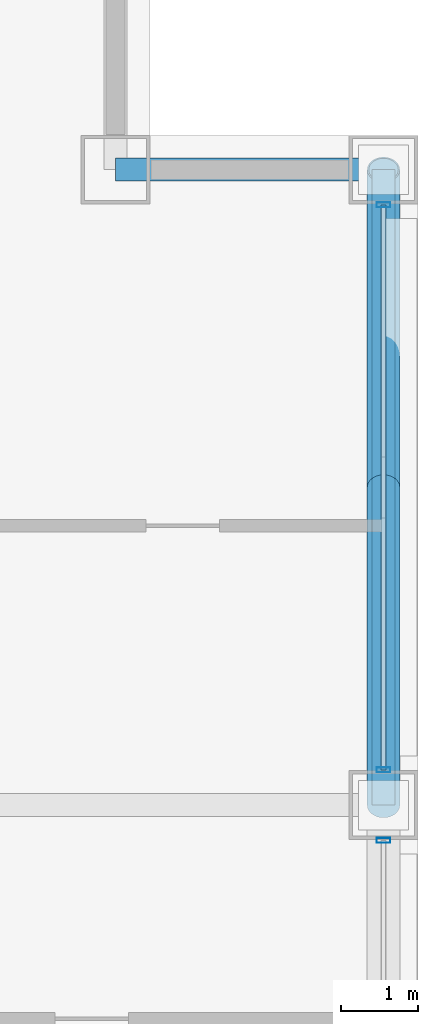
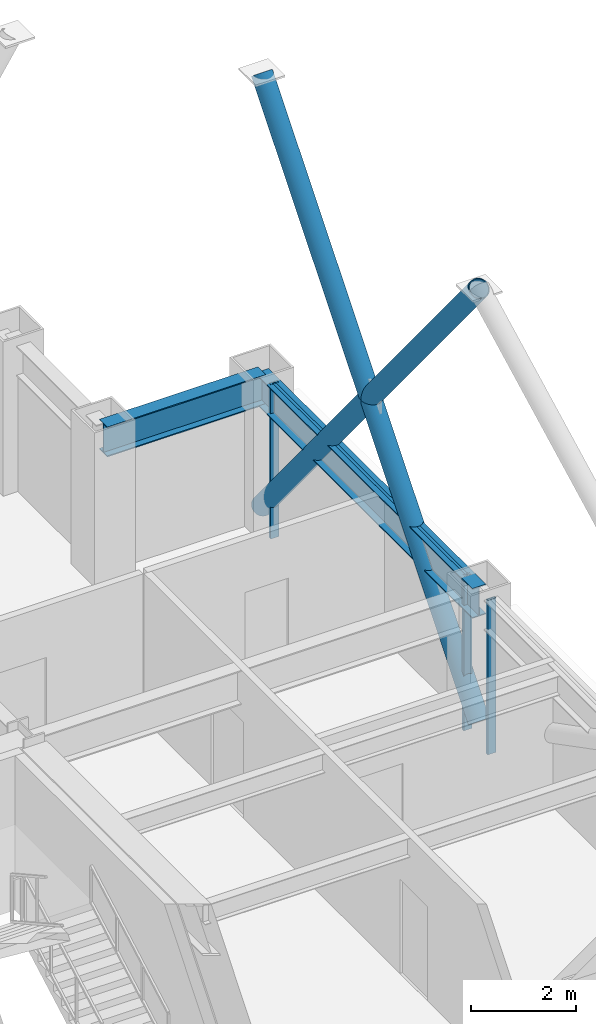
# One storey, part 22 of 29: 7 members, 2 beams, 2 elements without a shape of their own.
"""IFC4 building model written with IfcOpenShell, lengths in metres."""

from ifc_helpers import new_model, si_unit, direction, frame, origin, origin_2d, place, context, subcontext, project, spatial, hollow_rectangle, hollow_circle, i_section, extrude, material, layer, layer_set, material_profile, profile_set, type_object, element, aggregate, save


model = new_model("IFC4")

# Units and contexts
model_context = context("Model", 3, precision=1e-05, world=origin(), true_north=direction((0.0, 1.0)))
body_context = subcontext(model_context, "Body", "Model", "MODEL_VIEW")
ifc_project = project(units=[si_unit("LENGTHUNIT", "METRE"), si_unit("AREAUNIT", "SQUARE_METRE"), si_unit("VOLUMEUNIT", "CUBIC_METRE"), si_unit("PLANEANGLEUNIT", "RADIAN"), si_unit("MASSUNIT", "GRAM", prefix="KILO")], contexts=[model_context])

# Site, building, storey
site_placement = place(None, origin())
site = spatial("IfcSite", under=ifc_project, at=site_placement, CompositionType="ELEMENT")
building_placement = place(site_placement, origin())
building = spatial("IfcBuilding", under=site, at=building_placement, Name="Brelmoor Portico Tower", CompositionType="ELEMENT")
storey_placement = place(building_placement, frame((0.0, 0.0, 67.199951171875)))
storey = spatial("IfcBuildingStorey", under=building, at=storey_placement, Name="L17", CompositionType="ELEMENT", Elevation=67.199951171875)

# Beams
ifc_material_1 = material(Name="Steel Q355B", Category="steel")
ifc_material_profile_1 = material_profile(ifc_material_1, i_section(OverallWidth=0.300048828125, OverallDepth=0.699951171875, WebThickness=0.012939453125, FlangeThickness=0.02392578125, at=origin_2d()), Name="HN 700x300x13x24")
ifc_profile_set_1 = profile_set([ifc_material_profile_1], Name="Steel Q355B")
beam_type = type_object("IfcBeamType", Name="BM-SP-700", PredefinedType="SPANDREL", material=ifc_profile_set_1)
beam_1_placement = place(storey_placement, frame((21.050048828125, 18.050048828125, 3.050048828125), z_axis=(1.0, 0.0, 0.0), x_axis=(0.0, 1.0, 0.0)))
element("IfcBeam", 1, at=beam_1_placement, inside=storey, type_object=beam_type, Name="L17 Perimeter Spandrel Beam SP-09", PredefinedType="SPANDREL", context=body_context, shape_type="SweptSolid", body=[
    extrude(i_section(OverallWidth=0.300048828125, OverallDepth=0.699951171875, WebThickness=0.012939453125, FlangeThickness=0.02392578125, at=origin_2d()), origin(), (0.0, 0.0, 1.0), 3.5),
])
beam_2_placement = place(storey_placement, frame((24.550048828125, 9.75, 3.050048828125), z_axis=(0.0, 1.0, 0.0), x_axis=(-1.0, 0.0, 0.0)))
element("IfcBeam", 2, at=beam_2_placement, inside=storey, type_object=beam_type, Name="L17 Perimeter Spandrel Beam SP-24", PredefinedType="SPANDREL", context=body_context, shape_type="SweptSolid", body=[
    extrude(i_section(OverallWidth=0.300048828125, OverallDepth=0.699951171875, WebThickness=0.012939453125, FlangeThickness=0.02392578125, at=origin_2d()), origin(), (0.0, 0.0, 1.0), 8.300048828125),
])

# Members
ifc_material_profile_2 = material_profile(ifc_material_1, hollow_circle(Radius=0.212890625, WallThickness=0.02001953125, at=origin_2d()), Name="CHS 426x20")
ifc_profile_set_2 = profile_set([ifc_material_profile_2], Name="Steel Q355B")
member_type_1 = type_object("IfcMemberType", Name="MB-BELT-DIAG1", PredefinedType="BRACE", material=ifc_profile_set_2)
member_1_placement = place(storey_placement, frame((24.550048828125, 9.75, 0.25), z_axis=(0.0, 0.634901100083, 0.772593420315), x_axis=(-1.0, 0.0, 0.0)))
element("IfcMember", 3, at=member_1_placement, inside=storey, type_object=member_type_1, Name="L17 Continuous Mega-X Brace 042A", PredefinedType="BRACE", context=body_context, shape_type="SweptSolid", body=[
    extrude(hollow_circle(Radius=0.212890625, WallThickness=0.02001953125, at=origin_2d()), origin(), (0.0, 0.0, 1.0), 13.072998046875),
])
member_2_placement = place(storey_placement, frame((24.550048828125, 18.050048828125, 0.25), z_axis=(0.0, -0.634912247128, 0.772584259771), x_axis=(1.0, 0.0, 0.0)))
element("IfcMember", 4, at=member_2_placement, inside=storey, type_object=member_type_1, Name="L17 Split Mega-X Brace 042B1", PredefinedType="BRACE", context=body_context, shape_type="SweptSolid", body=[
    extrude(hollow_circle(Radius=0.212890625, WallThickness=0.02001953125, at=origin_2d()), origin(), (0.0, 0.0, 1.0), 6.53662109375),
])
member_3_placement = place(storey_placement, frame((24.550048828125, 13.89990234375, 5.300048828125), z_axis=(0.0, -0.634889952641, 0.772602580914), x_axis=(1.0, 0.0, 0.0)))
element("IfcMember", 5, at=member_3_placement, inside=storey, type_object=member_type_1, Name="L17 Split Mega-X Brace 042B2", PredefinedType="BRACE", context=body_context, shape_type="SweptSolid", body=[
    extrude(hollow_circle(Radius=0.212890625, WallThickness=0.02001953125, at=origin_2d()), origin(), (0.0, 0.0, 1.0), 6.536376953125),
])

# Curtain wall, member
ifc_material_2 = material(Name="Anodised Aluminium Alloy 6063-T6", Category="aluminium")
ifc_layer = layer(ifc_material_2, 0.179931640625)
ifc_layer_set = layer_set([ifc_layer], Name="Anodised Aluminium Alloy 6063-T6")
curtain_wall_type = type_object("IfcCurtainWallType", Name="CW-TOWER-Z1-XB", PredefinedType="NOTDEFINED", material=ifc_layer_set)
curtain_wall_1_placement = place(storey_placement, origin())
curtain_wall_1 = element("IfcCurtainWall", 6, at=curtain_wall_1_placement, inside=storey, type_object=curtain_wall_type, Name="L17 Curtain Wall CW-L17-04-2", PredefinedType="NOTDEFINED")
ifc_material_profile_3 = material_profile(ifc_material_2, hollow_rectangle(XDim=0.06494140625, YDim=0.179931640625, WallThickness=0.00390625, at=origin_2d()), Name="ALU MULLION 65x180")
ifc_profile_set_3 = profile_set([ifc_material_profile_3], Name="Anodised Aluminium Alloy 6063-T6")
member_type_2 = type_object("IfcMemberType", Name="MB-CW-MULL-180", PredefinedType="MULLION", material=ifc_profile_set_3)
member_4_placement = place(storey_placement, frame((24.550048828125, 9.2900390625, -0.199951171875), z_axis=(0.0, 0.0, 1.0), x_axis=(0.0, 1.0, 0.0)))
member_4 = element("IfcMember", 7, at=member_4_placement, type_object=member_type_2, Name="CW-L17-04-2 Mullion 02", PredefinedType="MULLION", context=body_context, shape_type="SweptSolid", body=[
    extrude(hollow_rectangle(XDim=0.06494140625, YDim=0.179931640625, WallThickness=0.00390625, at=origin_2d()), origin(), (0.0, 0.0, 1.0), 3.60009765625),
])
aggregate(curtain_wall_1, [member_4])

# Curtain wall, members
curtain_wall_2_placement = place(storey_placement, origin())
curtain_wall_2 = element("IfcCurtainWall", 8, at=curtain_wall_2_placement, inside=storey, type_object=curtain_wall_type, Name="L17 Curtain Wall CW-L17-04-3", PredefinedType="NOTDEFINED")
member_5_placement = place(storey_placement, frame((24.550048828125, 10.2099609375, -0.199951171875), z_axis=(0.0, 0.0, 1.0), x_axis=(0.0, 1.0, 0.0)))
member_5 = element("IfcMember", 9, at=member_5_placement, type_object=member_type_2, Name="CW-L17-04-3 Mullion 00", PredefinedType="MULLION", context=body_context, shape_type="SweptSolid", body=[
    extrude(hollow_rectangle(XDim=0.06494140625, YDim=0.179931640625, WallThickness=0.00390625, at=origin_2d()), origin(), (0.0, 0.0, 1.0), 3.60009765625),
])
member_6_placement = place(storey_placement, frame((24.550048828125, 17.590087890625, -0.199951171875), z_axis=(0.0, 0.0, 1.0), x_axis=(0.0, 1.0, 0.0)))
member_6 = element("IfcMember", 10, at=member_6_placement, type_object=member_type_2, Name="CW-L17-04-3 Mullion 01", PredefinedType="MULLION", context=body_context, shape_type="SweptSolid", body=[
    extrude(hollow_rectangle(XDim=0.06494140625, YDim=0.179931640625, WallThickness=0.00390625, at=origin_2d()), origin(), (0.0, 0.0, 1.0), 3.60009765625),
])
ifc_material_profile_4 = material_profile(ifc_material_2, hollow_rectangle(XDim=0.06494140625, YDim=0.139892578125, WallThickness=0.00390625, at=origin_2d()), Name="ALU TRANSOM 65x140")
ifc_profile_set_4 = profile_set([ifc_material_profile_4], Name="Anodised Aluminium Alloy 6063-T6")
member_type_3 = type_object("IfcMemberType", Name="MB-CW-TRAN-140", PredefinedType="USERDEFINED", material=ifc_profile_set_4)
member_7_placement = place(storey_placement, frame((24.550048828125, 10.2099609375, 3.330078125), z_axis=(0.0, 1.0, 0.0), x_axis=(-1.0, 0.0, 0.0)))
member_7 = element("IfcMember", 11, at=member_7_placement, type_object=member_type_3, Name="CW-L17-04-3 Transom 1-00", ObjectType="TRANSOM", PredefinedType="USERDEFINED", context=body_context, shape_type="SweptSolid", body=[
    extrude(hollow_rectangle(XDim=0.06494140625, YDim=0.139892578125, WallThickness=0.00390625, at=origin_2d()), origin(), (0.0, 0.0, 1.0), 7.380126953125),
])
aggregate(curtain_wall_2, [member_5, member_6, member_7])

save(model, "model.ifc")
